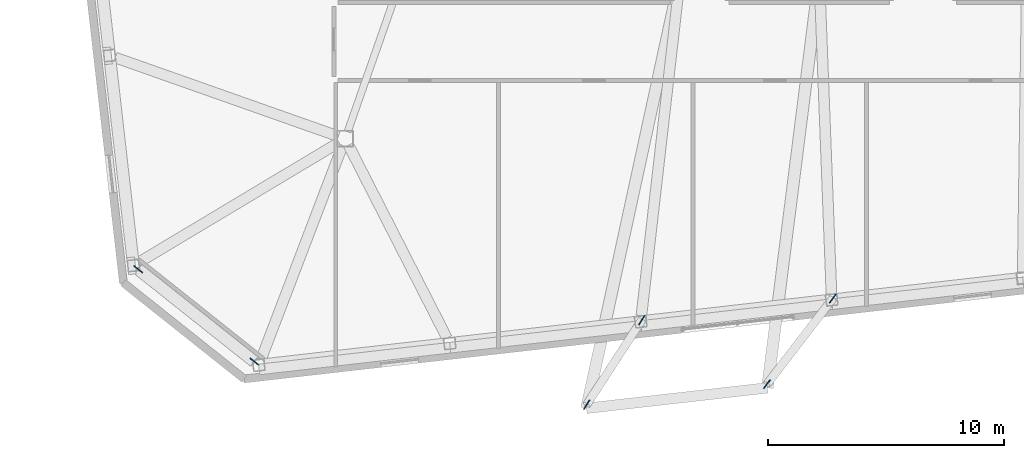
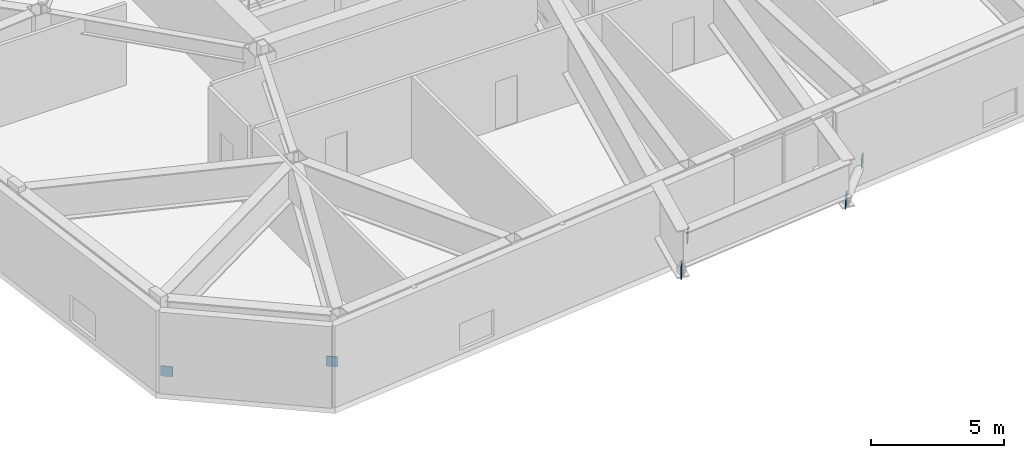
# One storey, part 16 of 20: 6 discrete accessories.
"""IFC4 building model written with IfcOpenShell, lengths in metres."""

from ifc_helpers import new_model, si_unit, direction, frame, origin, origin_2d, place, context, subcontext, project, spatial, rectangle, extrude, material, type_object, element, save


model = new_model("IFC4")

# Units and contexts
model_context = context("Model", 3, precision=1e-05, world=origin(), true_north=direction((0.0, 1.0)))
body_context = subcontext(model_context, "Body", "Model", "MODEL_VIEW")
ifc_project = project(units=[si_unit("LENGTHUNIT", "METRE"), si_unit("AREAUNIT", "SQUARE_METRE"), si_unit("VOLUMEUNIT", "CUBIC_METRE"), si_unit("PLANEANGLEUNIT", "RADIAN"), si_unit("MASSUNIT", "GRAM", prefix="KILO")], contexts=[model_context])

# Site, building, storey
site_placement = place(None, origin())
site = spatial("IfcSite", under=ifc_project, at=site_placement, CompositionType="ELEMENT")
building_placement = place(site_placement, origin())
building = spatial("IfcBuilding", under=site, at=building_placement, Name="Tavrogorsk Clinical Tower", CompositionType="ELEMENT")
storey_placement = place(building_placement, frame((0.0, 0.0, 214.199951171875)))
storey = spatial("IfcBuildingStorey", under=building, at=storey_placement, Name="L49", CompositionType="ELEMENT", Elevation=214.199951171875)

# Discrete accessories
ifc_material = material(Name="Structural steel S440", Category="steel")
discrete_accessory_type = type_object("IfcDiscreteAccessoryType", Name="GussetPlateBracket_25", PredefinedType="BRACKET", material=ifc_material)
for number, where, z_axis, x_axis, name in (
    (1, (-33.2783203125, -18.73486328125, 0.114501953125), (0.0, 0.0, 1.0), (0.782608156852, -0.622514636638, 0.0), "L49 Brace Gusset Plate EXOCRN-L49-4-A"),
    (2, (-28.363525390625, -22.644287109375, 1.215576171875), (0.0, 0.0, 1.0), (0.782608156852, -0.622514636638, 0.0), "L49 Brace Gusset Plate EXOCRN-L49-4-B"),
    (3, (-11.930908203125, -20.893798828125, 0.1953125), (0.0, 0.0, 1.0), (-0.545516989988, -0.838099763533, 0.0), "L49 Brace Gusset Plate DRB-07-STRUT-L-L50-A"),
):
    element("IfcDiscreteAccessory", number, at=place(storey_placement, frame(where, z_axis=z_axis, x_axis=x_axis)), inside=storey, type_object=discrete_accessory_type, Name=name, PredefinedType="BRACKET", context=body_context, shape_type="SweptSolid", body=[
        extrude(rectangle(XDim=0.4599609375, YDim=0.0400390625, at=origin_2d()), origin(), (0.0, 0.0, 1.0), 0.4599609375),
    ])
discrete_accessory_1_placement = place(storey_placement, frame((-14.26416015625, -24.478271484375, 1.53466796875), z_axis=(0.0, 0.0, 1.0), x_axis=(-0.545516989988, -0.838099763533, 0.0)))
element("IfcDiscreteAccessory", 4, at=discrete_accessory_1_placement, inside=storey, type_object=discrete_accessory_type, Name="L49 Brace Gusset Plate DRB-07-STRUT-L-L50-B", PredefinedType="BRACKET", context=body_context, shape_type="SweptSolid", body=[
    extrude(rectangle(XDim=0.4599609375, YDim=0.0400390625, at=origin_2d()), origin(), (0.0, 0.0, 1.0), 0.56005859375),
])
discrete_accessory_2_placement = place(storey_placement, frame((-3.829345703125, -19.974609375, 0.19677734375), z_axis=(0.0, 0.0, 1.0), x_axis=(-0.609453528518, -0.792821793707, 0.0)))
element("IfcDiscreteAccessory", 5, at=discrete_accessory_2_placement, inside=storey, type_object=discrete_accessory_type, Name="L49 Brace Gusset Plate DRB-07-STRUT-R-L50-A", PredefinedType="BRACKET", context=body_context, shape_type="SweptSolid", body=[
    extrude(rectangle(XDim=0.4599609375, YDim=0.0400390625, at=origin_2d()), origin(), (0.0, 0.0, 1.0), 0.4599609375),
])
discrete_accessory_3_placement = place(storey_placement, frame((-6.61865234375, -23.603515625, 1.533203125), z_axis=(0.0, 0.0, 1.0), x_axis=(-0.609453528518, -0.792821793707, 0.0)))
element("IfcDiscreteAccessory", 6, at=discrete_accessory_3_placement, inside=storey, type_object=discrete_accessory_type, Name="L49 Brace Gusset Plate DRB-07-STRUT-R-L50-B", PredefinedType="BRACKET", context=body_context, shape_type="SweptSolid", body=[
    extrude(rectangle(XDim=0.4599609375, YDim=0.0400390625, at=origin_2d()), origin(), (0.0, 0.0, 1.0), 0.56005859375),
])

save(model, "model.ifc")
